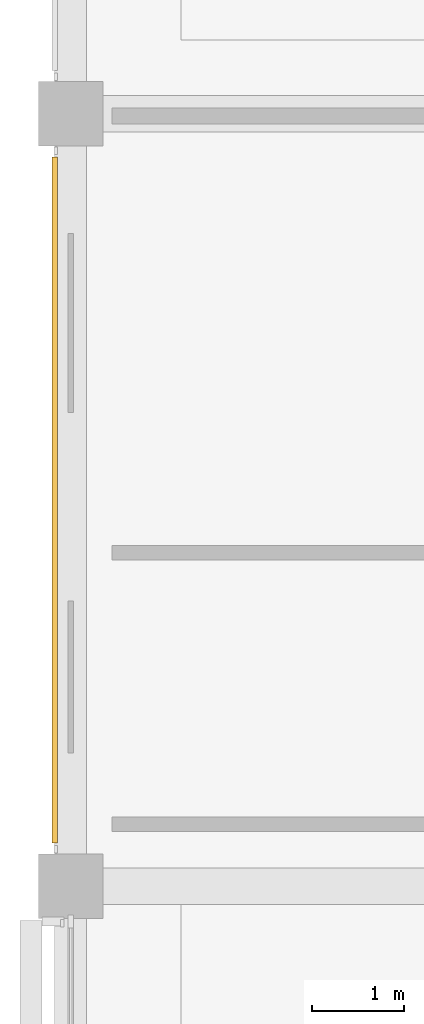
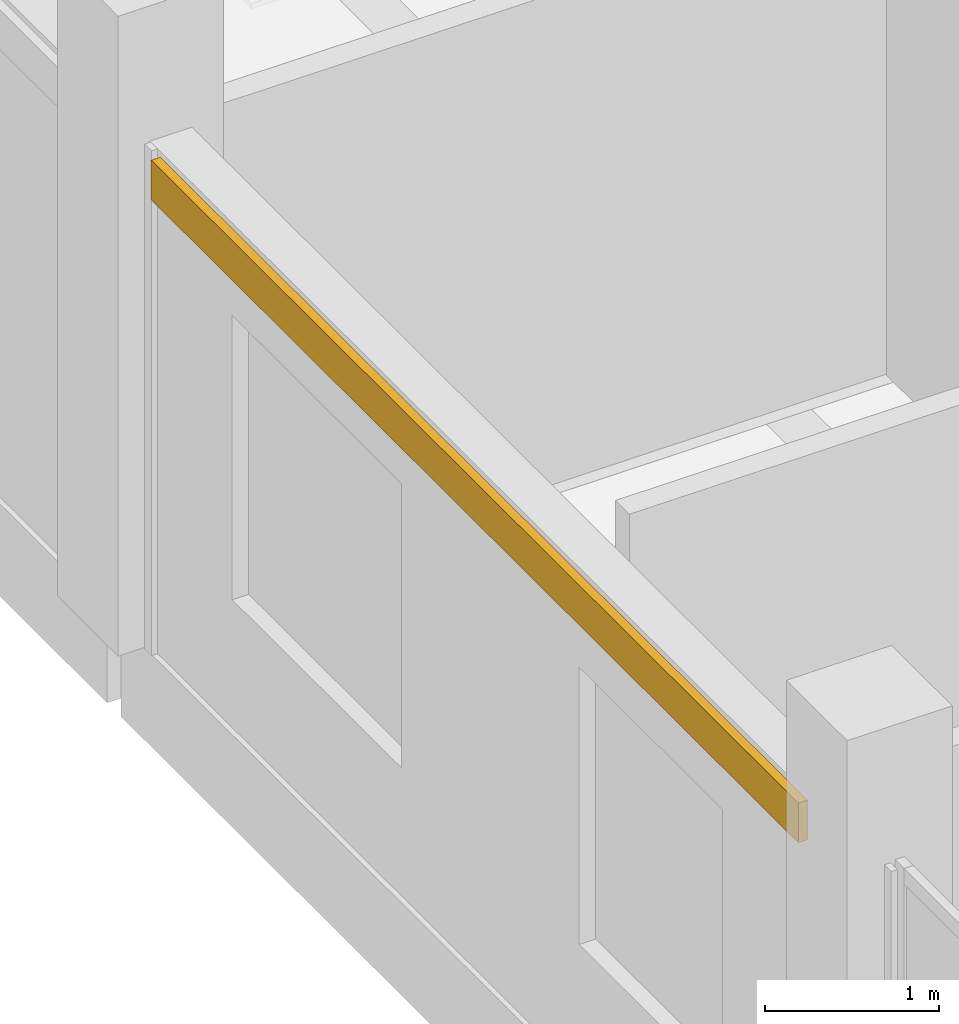
# One storey, part 23 of 32: 1 covering.
"""IFC4 building model written with IfcOpenShell, lengths in metres."""

import ifcopenshell
import ifcopenshell.guid

model = None  # the IFC model being written
_history = None  # IfcOwnerHistory: only IFC2X3 demands one
_inside = {}  # id of a spatial element -> (the spatial element, [elements in it])
_under = {}  # id of a project, library or spatial element -> (it, [spatial elements below it])
_declared = {}  # id of a project -> (the project, [libraries it declares])
_typed = {}  # id of a type object -> (the type object, [elements of that type])
_made_of = {}  # id of a material, layer set ... -> (it, [elements and type objects made of it])


def new_model(schema):
    """Start an empty IFC model of exactly this schema.

    Asked for "IFC4X3", IfcOpenShell would pick the latest addendum, in which some entities
    have other attributes; the version numbers below select the first issue.
    IFC2X3 requires an IfcOwnerHistory on every rooted entity: one is made here for all.
    """
    global model, _history
    if schema == "IFC4X3":
        model = ifcopenshell.file(schema_version=(4, 3, 0, 0))
    else:
        model = ifcopenshell.file(schema=schema)
    _inside.clear()
    _under.clear()
    _declared.clear()
    _typed.clear()
    _made_of.clear()
    _history = None
    if model.schema == "IFC2X3":
        org = make("IfcOrganization", Name="unknown")
        user = make(
            "IfcPersonAndOrganization",
            ThePerson=make("IfcPerson", FamilyName="unknown"),
            TheOrganization=org,
        )
        app = make(
            "IfcApplication",
            ApplicationDeveloper=org,
            Version="unknown",
            ApplicationFullName="unknown",
            ApplicationIdentifier="unknown",
        )
        _history = make(
            "IfcOwnerHistory",
            OwningUser=user,
            OwningApplication=app,
            ChangeAction="ADDED",
            CreationDate=0,
        )
    return model


def make(cls, **values):
    """One entity of the class cls with the attributes given. An attribute that is None is left unset."""
    return model.create_entity(
        cls, **{name: value for name, value in values.items() if value is not None}
    )


def rooted(cls, **values):
    """An entity with a GlobalId (a new one), such as an element, a storey or a relation."""
    return make(cls, GlobalId=ifcopenshell.guid.new(), OwnerHistory=_history, **values)


def si_unit(unit_type, name, prefix=None):
    """IfcSIUnit, for example si_unit("LENGTHUNIT", "METRE", prefix="MILLI")."""
    return make("IfcSIUnit", UnitType=unit_type, Prefix=prefix, Name=name)


def assignment(units):
    """IfcUnitAssignment: the units of a project."""
    return None if units is None else make("IfcUnitAssignment", Units=units)


def point(xyz):
    """IfcCartesianPoint."""
    return None if xyz is None else make("IfcCartesianPoint", Coordinates=xyz)


def direction(xyz):
    """IfcDirection."""
    return None if xyz is None else make("IfcDirection", DirectionRatios=xyz)


def frame(location, z_axis=None, x_axis=None):
    """IfcAxis2Placement3D, a coordinate frame: its origin and axes. An axis left out is left unset."""
    return make(
        "IfcAxis2Placement3D",
        Location=point(location),
        Axis=direction(z_axis),
        RefDirection=direction(x_axis),
    )


def frame_2d(location, x_axis=None):
    """IfcAxis2Placement2D, a coordinate frame in the plane: its origin and x axis."""
    return make(
        "IfcAxis2Placement2D", Location=point(location), RefDirection=direction(x_axis)
    )


def origin():
    """The frame at (0, 0, 0) with its axes left unset."""
    return frame((0.0, 0.0, 0.0))


def origin_2d():
    """The frame at (0, 0) in the plane with its x axis left unset."""
    return frame_2d((0.0, 0.0))


def place(relative_to, where):
    """IfcLocalPlacement: puts the frame where relative to a parent placement (None: the world)."""
    return make(
        "IfcLocalPlacement", PlacementRelTo=relative_to, RelativePlacement=where
    )


def context(
    kind, dimensions, precision=None, world=None, true_north=None, identifier=None
):
    """IfcGeometricRepresentationContext, for example the 3D "Model" context."""
    return make(
        "IfcGeometricRepresentationContext",
        ContextIdentifier=identifier,
        ContextType=kind,
        CoordinateSpaceDimension=dimensions,
        Precision=precision,
        WorldCoordinateSystem=world,
        TrueNorth=true_north,
    )


def subcontext(parent, identifier, kind, view, scale=None):
    """IfcGeometricRepresentationSubContext, for example "Body" below "Model"."""
    return make(
        "IfcGeometricRepresentationSubContext",
        ContextIdentifier=identifier,
        ContextType=kind,
        ParentContext=parent,
        TargetScale=scale,
        TargetView=view,
    )


def project(units=None, contexts=None):
    """IfcProject with its units and contexts."""
    return rooted(
        "IfcProject",
        Name="project",
        RepresentationContexts=contexts,
        UnitsInContext=assignment(units),
    )


def spatial(cls, under=None, at=None, **own):
    """A site, building, storey or space (cls), placed at a placement, below another one or the project."""
    s = rooted(cls, ObjectPlacement=at, **own)
    if under is not None:
        _under.setdefault(under.id(), (under, []))[1].append(s)
    return s


def profile(cls, at=None, kind="AREA", **sizes):
    """A parametric profile (cls). Its sizes go by their IFC names, for example OverallWidth=200.0."""
    return make(cls, ProfileType=kind, Position=at, **sizes)


def rectangle(**sizes):
    """IfcRectangleProfileDef."""
    return profile("IfcRectangleProfileDef", **sizes)


def extrude(swept, where, along, depth):
    """IfcExtrudedAreaSolid: the profile swept, set in the frame where, extruded along a direction by depth."""
    return make(
        "IfcExtrudedAreaSolid",
        SweptArea=swept,
        Position=where,
        ExtrudedDirection=direction(along),
        Depth=depth,
    )


def shape(context_of_items, identifier, shape_type, items):
    """IfcShapeRepresentation: the items that make up one representation, for example the "Body"."""
    return make(
        "IfcShapeRepresentation",
        ContextOfItems=context_of_items,
        RepresentationIdentifier=identifier,
        RepresentationType=shape_type,
        Items=items,
    )


def material(Name=None, Category=None):
    """IfcMaterial."""
    return make("IfcMaterial", Name=Name, Category=Category)


def layer(
    of_material, thickness, ventilated=None, Name=None, Category=None, Priority=None
):
    """IfcMaterialLayer: one layer of a wall or slab, of a material (None: an air gap)."""
    return make(
        "IfcMaterialLayer",
        Material=of_material,
        LayerThickness=thickness,
        IsVentilated=ventilated,
        Name=Name,
        Category=Category,
        Priority=Priority,
    )


def layer_set(layers, Name=None):
    """IfcMaterialLayerSet."""
    return make("IfcMaterialLayerSet", MaterialLayers=layers, LayerSetName=Name)


def made_of(thing, what):
    """Note that an element or type object is made of a material, layer set ...; save() writes the relation."""
    if what is not None:
        _made_of.setdefault(what.id(), (what, []))[1].append(thing)
    return thing


def type_object(cls, material=None, **own):
    """A type object (cls), such as IfcWallType, which elements share."""
    return made_of(rooted(cls, **own), material)


def element(
    cls,
    number,
    at=None,
    inside=None,
    cuts=None,
    type_object=None,
    material=None,
    context=None,
    identifier="Body",
    shape_type=None,
    held_by="IfcProductDefinitionShape",
    body=None,
    shapes=None,
    **own,
):
    """One element of the class cls, such as IfcWall. Its Tag is "e" and its number.

    at: its placement. inside: the storey or other place that contains it. cuts: it is an
    opening in that element (IfcRelVoidsElement). A single representation is given by context,
    identifier, shape_type and body (its items); several are given by shapes. held_by: the class
    of the entity that holds the representations. save() writes the other relations.
    """
    e = rooted(cls, Tag="e%d" % number, ObjectPlacement=at, **own)
    if body is not None:
        shapes = [shape(context, identifier, shape_type, body)]
    if shapes is not None:
        e.Representation = make(held_by, Representations=shapes)
    if inside is not None:
        _inside.setdefault(inside.id(), (inside, []))[1].append(e)
    if cuts is not None:
        rooted(
            "IfcRelVoidsElement", RelatingBuildingElement=cuts, RelatedOpeningElement=e
        )
    if type_object is not None:
        _typed.setdefault(type_object.id(), (type_object, []))[1].append(e)
    return made_of(e, material)


def aggregate(whole, parts):
    """IfcRelAggregates: a whole, such as a stair, and the parts it consists of."""
    return rooted("IfcRelAggregates", RelatingObject=whole, RelatedObjects=parts)


def save(model, path):
    """Write the relations noted so far, then the file.

    IfcRelAggregates (storeys below a building ...), IfcRelContainedInSpatialStructure (elements
    in a storey), IfcRelDefinesByType, IfcRelAssociatesMaterial and IfcRelDeclares: one each for
    every whole, place, type object, material and project.
    """
    for whole, parts in _under.values():
        aggregate(whole, parts)
    for where, things in _inside.values():
        rooted(
            "IfcRelContainedInSpatialStructure",
            RelatedElements=things,
            RelatingStructure=where,
        )
    for kind, things in _typed.values():
        rooted("IfcRelDefinesByType", RelatedObjects=things, RelatingType=kind)
    for what, things in _made_of.values():
        rooted("IfcRelAssociatesMaterial", RelatedObjects=things, RelatingMaterial=what)
    for by, libraries in _declared.values():
        rooted("IfcRelDeclares", RelatingContext=by, RelatedDefinitions=libraries)
    model.write(path)


model = new_model("IFC4")

# Units and contexts
model_context = context("Model", 3, precision=1e-05, world=origin(), true_north=direction((0.0, 1.0)))
body_context = subcontext(model_context, "Body", "Model", "MODEL_VIEW")
ifc_project = project(units=[si_unit("LENGTHUNIT", "METRE"), si_unit("AREAUNIT", "SQUARE_METRE"), si_unit("VOLUMEUNIT", "CUBIC_METRE"), si_unit("PLANEANGLEUNIT", "RADIAN"), si_unit("MASSUNIT", "GRAM", prefix="KILO")], contexts=[model_context])

# Site, building, storey
site_placement = place(None, origin())
site = spatial("IfcSite", under=ifc_project, at=site_placement, CompositionType="ELEMENT")
building_placement = place(site_placement, origin())
building = spatial("IfcBuilding", under=site, at=building_placement, Name="Telukmera Botanical Conservatory", CompositionType="ELEMENT")
storey_placement = place(building_placement, frame((0.0, 0.0, 42.0)))
storey = spatial("IfcBuildingStorey", under=building, at=storey_placement, Name="L09", CompositionType="ELEMENT", Elevation=42.0)

# Covering
ifc_material = material(Name="Terracotta-faced precast concrete C40/50", Category="masonry")
ifc_layer = layer(ifc_material, 0.06005859375)
ifc_layer_set = layer_set([ifc_layer], Name="Terracotta-faced precast concrete C40/50")
covering_type = type_object("IfcCoveringType", Name="Polychrome Terracotta Facade Band Cladding", PredefinedType="CLADDING", material=ifc_layer_set)
covering_placement = place(storey_placement, frame((50.22998046875, 21.800048828125, 3.22998046875), z_axis=(0.0, 0.0, 1.0), x_axis=(0.0, 1.0, 0.0)))
element("IfcCovering", 1, at=covering_placement, inside=storey, type_object=covering_type, Name="Polychrome Terracotta Band V4:L09:W2", PredefinedType="CLADDING", context=body_context, shape_type="SweptSolid", body=[
    extrude(rectangle(XDim=7.4560546875, YDim=0.06005859375, at=origin_2d()), origin(), (0.0, 0.0, 1.0), 0.280029296875),
])

save(model, "model.ifc")
